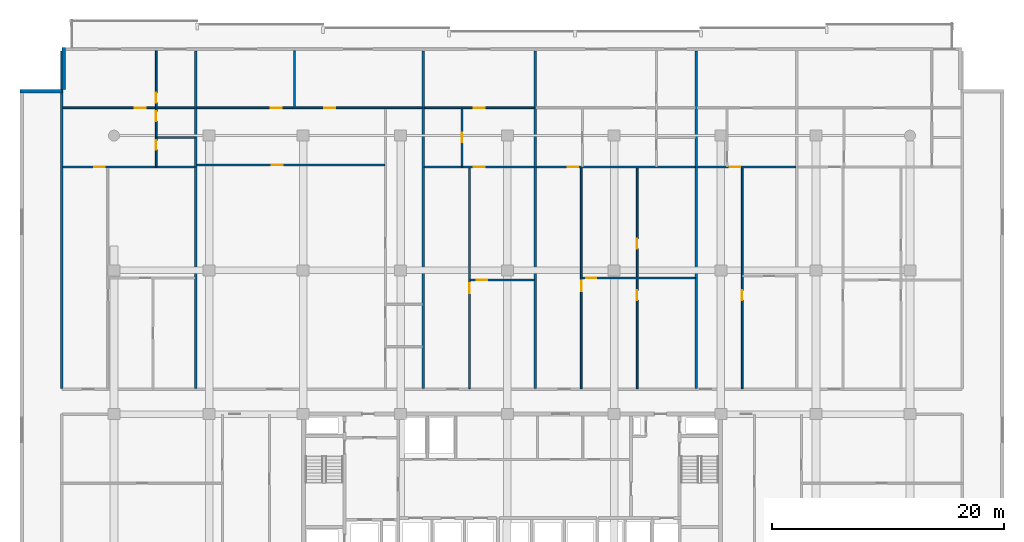
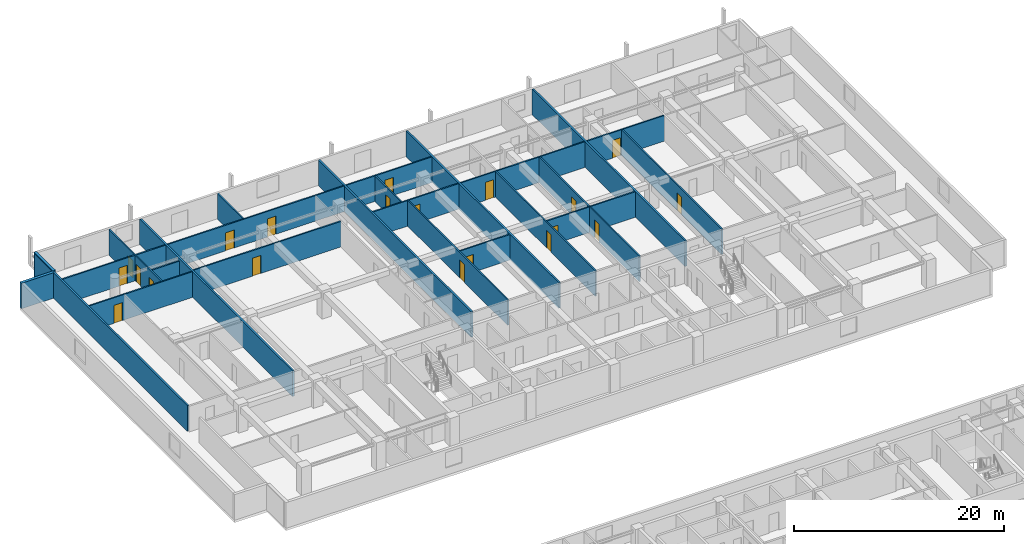
# One storey, part 15 of 24: 25 walls, 20 doors, 20 openings.
"""IFC4 building model written with IfcOpenShell, lengths in metres."""

from ifc_helpers import new_model, si_unit, direction, frame, frame_2d, origin, place, context, subcontext, project, spatial, rectangle, extrude, material, layer, layer_set, type_object, element, fill, save


model = new_model("IFC4")

# Units and contexts
model_context = context("Model", 3, precision=1e-05, world=origin(), true_north=direction((0.0, 1.0)))
body_context = subcontext(model_context, "Body", "Model", "MODEL_VIEW")
ifc_project = project(units=[si_unit("LENGTHUNIT", "METRE"), si_unit("AREAUNIT", "SQUARE_METRE"), si_unit("VOLUMEUNIT", "CUBIC_METRE"), si_unit("PLANEANGLEUNIT", "RADIAN"), si_unit("MASSUNIT", "GRAM", prefix="KILO")], contexts=[model_context])

# Site, building, storey
site_placement = place(None, origin())
site = spatial("IfcSite", under=ifc_project, at=site_placement, CompositionType="ELEMENT")
building_placement = place(site_placement, origin())
building = spatial("IfcBuilding", under=site, at=building_placement, Name="Korimba Cascade Residences", CompositionType="ELEMENT")
storey_placement = place(building_placement, frame((0.0, 0.0, 66.25)))
storey = spatial("IfcBuildingStorey", under=building, at=storey_placement, Name="L18", CompositionType="ELEMENT", Elevation=66.25)

# Walls
ifc_material_1 = material(Name="Precast concrete C40/50", Category="concrete")
ifc_layer_1 = layer(ifc_material_1, 0.300048828125)
ifc_layer_set_1 = layer_set([ifc_layer_1], Name="Precast concrete C40/50")
wall_type_1 = type_object("IfcWallType", Name="EW-STONE-300", PredefinedType="STANDARD", material=ifc_layer_set_1)
for number, where, z_axis, x_axis, name in (
    (1, (55.449951171875, 98.800048828125, 0.0), (0.0, 0.0, 1.0), (0.0, -1.0, 0.0), "L18 T1 Perimeter Stone Wall E07"),
    (2, (55.300048828125, 95.050048828125, 0.0), (0.0, 0.0, 1.0), (-1.0, 0.0, 0.0), "L18 T1 Perimeter Stone Wall E08"),
):
    element("IfcWall", number, at=place(storey_placement, frame(where, z_axis=z_axis, x_axis=x_axis)), inside=storey, type_object=wall_type_1, Name=name, PredefinedType="STANDARD", context=body_context, shape_type="SweptSolid", body=[
        extrude(rectangle(XDim=3.60009765625, YDim=0.300048828125, at=frame_2d((1.800048828125, 0.0))), origin(), (0.0, 0.0, 1.0), 2.969970703125),
    ])
ifc_layer_2 = layer(ifc_material_1, 0.199951171875)
ifc_layer_set_2 = layer_set([ifc_layer_2], Name="Precast concrete C40/50")
wall_type_2 = type_object("IfcWallType", Name="WAL-IT-200", PredefinedType="PARTITIONING", material=ifc_layer_set_2)
for number, where, z_axis, x_axis, name in (
    (3, (55.300048828125, 69.429931640625, 0.0), (0.0, 0.0, 1.0), (0.0, 1.0, 0.0), "L18 Partition Wall WAL-L18-T1-BNDWL"),
    (4, (66.854248046875, 69.429931640625, 0.0), (0.0, 0.0, 1.0), (0.0, 1.0, 0.0), "L18 Partition Wall WAL-L18-T1-DEM-1"),
    (5, (86.46484375, 69.429931640625, 0.0), (0.0, 0.0, 1.0), (0.0, 1.0, 0.0), "L18 Partition Wall WAL-L18-T1-DEM-2"),
    (6, (96.10302734375, 69.429931640625, 0.0), (0.0, 0.0, 1.0), (0.0, 1.0, 0.0), "L18 Partition Wall WAL-L18-T1-DEM-3"),
    (7, (109.96533203125, 69.429931640625, 0.0), (0.0, 0.0, 1.0), (0.0, 1.0, 0.0), "L18 Partition Wall WAL-L18-T1-DEM-4"),
):
    element("IfcWall", number, at=place(storey_placement, frame(where, z_axis=z_axis, x_axis=x_axis)), inside=storey, type_object=wall_type_2, Name=name, PredefinedType="PARTITIONING", context=body_context, shape_type="SweptSolid", body=[
        extrude(rectangle(XDim=29.070068359375, YDim=0.199951171875, at=frame_2d((14.53515625, 0.0))), origin(), (0.0, 0.0, 1.0), 2.969970703125),
    ])
ifc_material_2 = material(Name="Insulated Acoustic Stud Partition", Category="gypsum")
ifc_layer_3 = layer(ifc_material_2, 0.14990234375)
ifc_layer_set_3 = layer_set([ifc_layer_3], Name="Insulated Acoustic Stud Partition")
wall_type_3 = type_object("IfcWallType", Name="WAL-PART-150", PredefinedType="PARTITIONING", material=ifc_layer_set_3)
wall_1_placement = place(storey_placement, frame((63.494384765625, 91.0400390625, 0.0), z_axis=(0.0, 0.0, 1.0), x_axis=(1.0, 0.0, 0.0)))
element("IfcWall", 8, at=wall_1_placement, inside=storey, type_object=wall_type_3, Name="L18 Partition Wall WAL-L18-T1-U01-BLDIV", PredefinedType="PARTITIONING", context=body_context, shape_type="SweptSolid", body=[
    extrude(rectangle(XDim=3.280029296875, YDim=0.14990234375, at=frame_2d((1.64013671875, 0.0))), origin(), (0.0, 0.0, 1.0), 2.663330078125),
])

# Wall, openings, doors
wall_2_placement = place(storey_placement, frame((63.434326171875, 88.5400390625, 0.0), z_axis=(0.0, 0.0, 1.0), x_axis=(0.0, 1.0, 0.0)))
wall_2 = element("IfcWall", 9, at=wall_2_placement, inside=storey, type_object=wall_type_3, Name="L18 Partition Wall WAL-L18-T1-U01-V1", PredefinedType="PARTITIONING", context=body_context, shape_type="SweptSolid", body=[
    extrude(rectangle(XDim=9.9599609375, YDim=0.14990234375, at=frame_2d((4.97998046875, 0.0))), origin(), (0.0, 0.0, 1.0), 2.969970703125),
])
opening_1_placement = place(wall_2_placement, frame((1.430419921875, 0.0, 0.0)))
opening_1 = element("IfcOpeningElement", 10, at=opening_1_placement, cuts=wall_2, Name="Opening D-BT1", PredefinedType="OPENING", context=body_context, shape_type="SweptSolid", body=[
    extrude(rectangle(XDim=0.840087890625, YDim=2.0400390625, at=frame_2d((0.419921875, 1.02001953125))), frame((0.0, 0.0849609375, 0.0), z_axis=(0.0, -1.0, 0.0), x_axis=(1.0, 0.0, 0.0)), (0.0, 0.0, 1.0), 0.169921875),
])
opening_2_placement = place(wall_2_placement, frame((3.919921875, 0.0, 0.0)))
opening_2 = element("IfcOpeningElement", 11, at=opening_2_placement, cuts=wall_2, Name="Opening D-BT1", PredefinedType="OPENING", context=body_context, shape_type="SweptSolid", body=[
    extrude(rectangle(XDim=0.840087890625, YDim=2.0400390625, at=frame_2d((0.419921875, 1.02001953125))), frame((0.0, 0.0849609375, 0.0), z_axis=(0.0, -1.0, 0.0), x_axis=(1.0, 0.0, 0.0)), (0.0, 0.0, 1.0), 0.169921875),
])
opening_3_placement = place(wall_2_placement, frame((5.47998046875, 0.0, 0.0)))
opening_3 = element("IfcOpeningElement", 12, at=opening_3_placement, cuts=wall_2, Name="Opening D-IN2", PredefinedType="OPENING", context=body_context, shape_type="SweptSolid", body=[
    extrude(rectangle(XDim=0.8798828125, YDim=2.06005859375, at=frame_2d((0.43994140625, 1.030029296875))), frame((0.0, 0.0849609375, 0.0), z_axis=(0.0, -1.0, 0.0), x_axis=(1.0, 0.0, 0.0)), (0.0, 0.0, 1.0), 0.169921875),
])
ifc_material_3 = material(Name="Moisture-Resistant Bathroom Timber Door", Category="wood")
door_type_1 = type_object("IfcDoorType", Name="DR-INT-850", OperationType="NOTDEFINED", PredefinedType="DOOR", material=ifc_material_3)
door_1_placement = place(opening_1_placement, origin())
door_1 = element("IfcDoor", 13, at=door_1_placement, inside=storey, type_object=door_type_1, Name="L18-T1-U01 Bathroom Door", OperationType="SINGLE_SWING_LEFT", OverallHeight=2.0400390625, OverallWidth=0.840087890625, PredefinedType="DOOR", context=body_context, shape_type="SweptSolid", body=[
    extrude(rectangle(XDim=0.840087890625, YDim=2.0400390625, at=frame_2d((0.419921875, 1.02001953125))), frame((0.0, 0.02490234375, 0.0), z_axis=(0.0, -1.0, 0.0), x_axis=(1.0, 0.0, 0.0)), (0.0, 0.0, 1.0), 0.050048828125),
])
fill(opening_1, door_1)
door_2_placement = place(opening_2_placement, origin())
door_2 = element("IfcDoor", 14, at=door_2_placement, inside=storey, type_object=door_type_1, Name="L18-T1-U01 Laundry Door", OperationType="SINGLE_SWING_RIGHT", OverallHeight=2.0400390625, OverallWidth=0.840087890625, PredefinedType="DOOR", context=body_context, shape_type="SweptSolid", body=[
    extrude(rectangle(XDim=0.840087890625, YDim=2.0400390625, at=frame_2d((0.419921875, 1.02001953125))), frame((0.0, 0.02490234375, 0.0), z_axis=(0.0, -1.0, 0.0), x_axis=(1.0, 0.0, 0.0)), (0.0, 0.0, 1.0), 0.050048828125),
])
fill(opening_2, door_2)
ifc_material_4 = material(Name="Acoustic Timber Bedroom Door", Category="wood")
door_type_2 = type_object("IfcDoorType", Name="DR-INT-880", OperationType="NOTDEFINED", PredefinedType="DOOR", material=ifc_material_4)
door_3_placement = place(opening_3_placement, origin())
door_3 = element("IfcDoor", 15, at=door_3_placement, inside=storey, type_object=door_type_2, Name="L18-T1-U01 Bedroom 1 Door", OperationType="SINGLE_SWING_LEFT", OverallHeight=2.06005859375, OverallWidth=0.8798828125, PredefinedType="DOOR", context=body_context, shape_type="SweptSolid", body=[
    extrude(rectangle(XDim=0.8798828125, YDim=2.06005859375, at=frame_2d((0.43994140625, 1.030029296875))), frame((0.0, 0.02490234375, 0.0), z_axis=(0.0, -1.0, 0.0), x_axis=(1.0, 0.0, 0.0)), (0.0, 0.0, 1.0), 0.050048828125),
])
fill(opening_3, door_3)

# Wall, opening, door
wall_3_placement = place(storey_placement, frame((55.3798828125, 88.5, 0.0), z_axis=(0.0, 0.0, 1.0), x_axis=(1.0, 0.0, 0.0)))
wall_3 = element("IfcWall", 16, at=wall_3_placement, inside=storey, type_object=wall_type_3, Name="L18 Partition Wall WAL-L18-T1-U01-MW", PredefinedType="PARTITIONING", context=body_context, shape_type="SweptSolid", body=[
    extrude(rectangle(XDim=11.39453125, YDim=0.14990234375, at=frame_2d((5.697265625, 0.0))), origin(), (0.0, 0.0, 1.0), 2.969970703125),
])
opening_4_placement = place(wall_3_placement, frame((2.719970703125, 0.0, 0.0)))
opening_4 = element("IfcOpeningElement", 17, at=opening_4_placement, cuts=wall_3, Name="Opening D-IN1", PredefinedType="OPENING", context=body_context, shape_type="SweptSolid", body=[
    extrude(rectangle(XDim=0.919921875, YDim=2.080078125, at=frame_2d((0.4599609375, 1.0400390625))), frame((0.0, 0.0849609375, 0.0), z_axis=(0.0, -1.0, 0.0), x_axis=(1.0, 0.0, 0.0)), (0.0, 0.0, 1.0), 0.169921875),
])
ifc_material_5 = material(Name="Acoustic Timber Living Door", Category="wood")
door_type_3 = type_object("IfcDoorType", Name="DR-INT-920", OperationType="NOTDEFINED", PredefinedType="DOOR", material=ifc_material_5)
door_4_placement = place(opening_4_placement, origin())
door_4 = element("IfcDoor", 18, at=door_4_placement, inside=storey, type_object=door_type_3, Name="L18-T1-U01 Kitchen Archway Door", OperationType="SINGLE_SWING_RIGHT", OverallHeight=2.080078125, OverallWidth=0.919921875, PredefinedType="DOOR", context=body_context, shape_type="SweptSolid", body=[
    extrude(rectangle(XDim=0.919921875, YDim=2.080078125, at=frame_2d((0.4599609375, 1.0400390625))), frame((0.0, 0.02490234375, 0.0), z_axis=(0.0, -1.0, 0.0), x_axis=(1.0, 0.0, 0.0)), (0.0, 0.0, 1.0), 0.050048828125),
])
fill(opening_4, door_4)

wall_4_placement = place(storey_placement, frame((55.3798828125, 93.60009765625, 0.0), z_axis=(0.0, 0.0, 1.0), x_axis=(1.0, 0.0, 0.0)))
wall_4 = element("IfcWall", 19, at=wall_4_placement, inside=storey, type_object=wall_type_3, Name="L18 Partition Wall WAL-L18-T1-U01-HZ", PredefinedType="PARTITIONING", context=body_context, shape_type="SweptSolid", body=[
    extrude(rectangle(XDim=11.39453125, YDim=0.14990234375, at=frame_2d((5.697265625, 0.0))), origin(), (0.0, 0.0, 1.0), 2.969970703125),
])
opening_5_placement = place(wall_4_placement, frame((6.202880859375, 0.0, 0.0)))
opening_5 = element("IfcOpeningElement", 20, at=opening_5_placement, cuts=wall_4, Name="Opening D-IN0", PredefinedType="OPENING", context=body_context, shape_type="SweptSolid", body=[
    extrude(rectangle(XDim=0.93994140625, YDim=2.10009765625, at=frame_2d((0.469970703125, 1.050048828125))), frame((0.0, 0.0849609375, 0.0), z_axis=(0.0, -1.0, 0.0), x_axis=(1.0, 0.0, 0.0)), (0.0, 0.0, 1.0), 0.169921875),
])
ifc_material_6 = material(Name="Acoustic Timber Living Archway Door", Category="wood")
door_type_4 = type_object("IfcDoorType", Name="DR-INT-950", OperationType="NOTDEFINED", PredefinedType="DOOR", material=ifc_material_6)
door_5_placement = place(opening_5_placement, origin())
door_5 = element("IfcDoor", 21, at=door_5_placement, inside=storey, type_object=door_type_4, Name="L18-T1-U01 Living Archway Door", OperationType="SINGLE_SWING_LEFT", OverallHeight=2.10009765625, OverallWidth=0.93994140625, PredefinedType="DOOR", context=body_context, shape_type="SweptSolid", body=[
    extrude(rectangle(XDim=0.93994140625, YDim=2.10009765625, at=frame_2d((0.469970703125, 1.050048828125))), frame((0.0, 0.02490234375, 0.0), z_axis=(0.0, -1.0, 0.0), x_axis=(1.0, 0.0, 0.0)), (0.0, 0.0, 1.0), 0.050048828125),
])
fill(opening_5, door_5)

wall_5_placement = place(storey_placement, frame((66.934326171875, 88.679931640625, 0.0), z_axis=(0.0, 0.0, 1.0), x_axis=(1.0, 0.0, 0.0)))
wall_5 = element("IfcWall", 22, at=wall_5_placement, inside=storey, type_object=wall_type_3, Name="L18 Partition Wall WAL-L18-T1-U02-CARH", PredefinedType="PARTITIONING", context=body_context, shape_type="SweptSolid", body=[
    extrude(rectangle(XDim=16.220458984375, YDim=0.14990234375, at=frame_2d((8.1103515625, 0.0))), origin(), (0.0, 0.0, 1.0), 2.969970703125),
])
opening_6_placement = place(wall_5_placement, frame((6.473876953125, 0.0, 0.0)))
opening_6 = element("IfcOpeningElement", 23, at=opening_6_placement, cuts=wall_5, Name="Opening D-IN0", PredefinedType="OPENING", context=body_context, shape_type="SweptSolid", body=[
    extrude(rectangle(XDim=0.93994140625, YDim=2.10009765625, at=frame_2d((0.469970703125, 1.050048828125))), frame((0.0, 0.0849609375, 0.0), z_axis=(0.0, -1.0, 0.0), x_axis=(1.0, 0.0, 0.0)), (0.0, 0.0, 1.0), 0.169921875),
])
door_6_placement = place(opening_6_placement, origin())
door_6 = element("IfcDoor", 24, at=door_6_placement, inside=storey, type_object=door_type_4, Name="L18-T1-U02 Wellness Clinic Foyer Door", OperationType="SINGLE_SWING_RIGHT", OverallHeight=2.10009765625, OverallWidth=0.93994140625, PredefinedType="DOOR", context=body_context, shape_type="SweptSolid", body=[
    extrude(rectangle(XDim=0.93994140625, YDim=2.10009765625, at=frame_2d((0.469970703125, 1.050048828125))), frame((0.0, 0.02490234375, 0.0), z_axis=(0.0, -1.0, 0.0), x_axis=(1.0, 0.0, 0.0)), (0.0, 0.0, 1.0), 0.050048828125),
])
fill(opening_6, door_6)

# Wall
wall_6_placement = place(storey_placement, frame((75.3544921875, 93.679931640625, 0.0), z_axis=(0.0, 0.0, 1.0), x_axis=(0.0, 1.0, 0.0)))
element("IfcWall", 25, at=wall_6_placement, inside=storey, type_object=wall_type_3, Name="L18 Partition Wall WAL-L18-T1-U02-OUTV", PredefinedType="PARTITIONING", context=body_context, shape_type="SweptSolid", body=[
    extrude(rectangle(XDim=4.820068359375, YDim=0.14990234375, at=frame_2d((2.41015625, 0.0))), origin(), (0.0, 0.0, 1.0), 2.969970703125),
])

# Wall, openings, doors
wall_7_placement = place(storey_placement, frame((66.934326171875, 93.60009765625, 0.0), z_axis=(0.0, 0.0, 1.0), x_axis=(1.0, 0.0, 0.0)))
wall_7 = element("IfcWall", 26, at=wall_7_placement, inside=storey, type_object=wall_type_3, Name="L18 Partition Wall WAL-L18-T1-U02-HZ", PredefinedType="PARTITIONING", context=body_context, shape_type="SweptSolid", body=[
    extrude(rectangle(XDim=19.450439453125, YDim=0.14990234375, at=frame_2d((9.72509765625, 0.0))), origin(), (0.0, 0.0, 1.0), 2.969970703125),
])
opening_7_placement = place(wall_7_placement, frame((6.392578125, 0.0, 0.0)))
opening_7 = element("IfcOpeningElement", 27, at=opening_7_placement, cuts=wall_7, Name="Opening D-IN0", PredefinedType="OPENING", context=body_context, shape_type="SweptSolid", body=[
    extrude(rectangle(XDim=0.93994140625, YDim=2.10009765625, at=frame_2d((0.469970703125, 1.050048828125))), frame((0.0, 0.0849609375, 0.0), z_axis=(0.0, -1.0, 0.0), x_axis=(1.0, 0.0, 0.0)), (0.0, 0.0, 1.0), 0.169921875),
])
opening_8_placement = place(wall_7_placement, frame((10.974365234375, 0.0, 0.0)))
opening_8 = element("IfcOpeningElement", 28, at=opening_8_placement, cuts=wall_7, Name="Opening D-IN0", PredefinedType="OPENING", context=body_context, shape_type="SweptSolid", body=[
    extrude(rectangle(XDim=0.93994140625, YDim=2.10009765625, at=frame_2d((0.469970703125, 1.050048828125))), frame((0.0, 0.0849609375, 0.0), z_axis=(0.0, -1.0, 0.0), x_axis=(1.0, 0.0, 0.0)), (0.0, 0.0, 1.0), 0.169921875),
])
door_7_placement = place(opening_7_placement, origin())
door_7 = element("IfcDoor", 29, at=door_7_placement, inside=storey, type_object=door_type_4, Name="L18-T1-U02 Hydrotherapy Wellness Clinic Door", OperationType="SINGLE_SWING_RIGHT", OverallHeight=2.10009765625, OverallWidth=0.93994140625, PredefinedType="DOOR", context=body_context, shape_type="SweptSolid", body=[
    extrude(rectangle(XDim=0.93994140625, YDim=2.10009765625, at=frame_2d((0.469970703125, 1.050048828125))), frame((0.0, 0.02490234375, 0.0), z_axis=(0.0, -1.0, 0.0), x_axis=(1.0, 0.0, 0.0)), (0.0, 0.0, 1.0), 0.050048828125),
])
fill(opening_7, door_7)
door_8_placement = place(opening_8_placement, origin())
door_8 = element("IfcDoor", 30, at=door_8_placement, inside=storey, type_object=door_type_4, Name="L18-T1-U02 Physiotherapy Treatment Room Door", OperationType="SINGLE_SWING_LEFT", OverallHeight=2.10009765625, OverallWidth=0.93994140625, PredefinedType="DOOR", context=body_context, shape_type="SweptSolid", body=[
    extrude(rectangle(XDim=0.93994140625, YDim=2.10009765625, at=frame_2d((0.469970703125, 1.050048828125))), frame((0.0, 0.02490234375, 0.0), z_axis=(0.0, -1.0, 0.0), x_axis=(1.0, 0.0, 0.0)), (0.0, 0.0, 1.0), 0.050048828125),
])
fill(opening_8, door_8)

# Wall, opening, door
wall_8_placement = place(storey_placement, frame((90.494873046875, 78.7548828125, 0.0), z_axis=(0.0, 0.0, 1.0), x_axis=(1.0, 0.0, 0.0)))
wall_8 = element("IfcWall", 31, at=wall_8_placement, inside=storey, type_object=wall_type_3, Name="L18 Partition Wall WAL-L18-T1-U03-FMH", PredefinedType="PARTITIONING", context=body_context, shape_type="SweptSolid", body=[
    extrude(rectangle(XDim=5.5283203125, YDim=0.14990234375, at=frame_2d((2.76416015625, 0.0))), origin(), (0.0, 0.0, 1.0), 2.969970703125),
])
opening_9_placement = place(wall_8_placement, frame((0.5869140625, 0.0, 0.0)))
opening_9 = element("IfcOpeningElement", 32, at=opening_9_placement, cuts=wall_8, Name="Opening D-IN2", PredefinedType="OPENING", context=body_context, shape_type="SweptSolid", body=[
    extrude(rectangle(XDim=0.8798828125, YDim=2.06005859375, at=frame_2d((0.43994140625, 1.030029296875))), frame((0.0, 0.0849609375, 0.0), z_axis=(0.0, -1.0, 0.0), x_axis=(1.0, 0.0, 0.0)), (0.0, 0.0, 1.0), 0.169921875),
])
door_9_placement = place(opening_9_placement, origin())
door_9 = element("IfcDoor", 33, at=door_9_placement, inside=storey, type_object=door_type_2, Name="L18-T1-U03 Library Salon Door", OperationType="SINGLE_SWING_RIGHT", OverallHeight=2.06005859375, OverallWidth=0.8798828125, PredefinedType="DOOR", context=body_context, shape_type="SweptSolid", body=[
    extrude(rectangle(XDim=0.8798828125, YDim=2.06005859375, at=frame_2d((0.43994140625, 1.030029296875))), frame((0.0, 0.02490234375, 0.0), z_axis=(0.0, -1.0, 0.0), x_axis=(1.0, 0.0, 0.0)), (0.0, 0.0, 1.0), 0.050048828125),
])
fill(opening_9, door_9)

wall_9_placement = place(storey_placement, frame((90.434814453125, 69.409912109375, 0.0), z_axis=(0.0, 0.0, 1.0), x_axis=(0.0, 1.0, 0.0)))
wall_9 = element("IfcWall", 34, at=wall_9_placement, inside=storey, type_object=wall_type_3, Name="L18 Partition Wall WAL-L18-T1-U03-FV", PredefinedType="PARTITIONING", context=body_context, shape_type="SweptSolid", body=[
    extrude(rectangle(XDim=19.050048828125, YDim=0.14990234375, at=frame_2d((9.52490234375, 0.0))), origin(), (0.0, 0.0, 1.0), 2.969970703125),
])
opening_10_placement = place(wall_9_placement, frame((8.215087890625, 0.0, 0.0)))
opening_10 = element("IfcOpeningElement", 35, at=opening_10_placement, cuts=wall_9, Name="Opening D-IN2", PredefinedType="OPENING", context=body_context, shape_type="SweptSolid", body=[
    extrude(rectangle(XDim=0.8798828125, YDim=2.06005859375, at=frame_2d((0.43994140625, 1.030029296875))), frame((0.0, 0.0849609375, 0.0), z_axis=(0.0, -1.0, 0.0), x_axis=(1.0, 0.0, 0.0)), (0.0, 0.0, 1.0), 0.169921875),
])
door_10_placement = place(opening_10_placement, origin())
door_10 = element("IfcDoor", 36, at=door_10_placement, inside=storey, type_object=door_type_2, Name="L18-T1-U03 Media Lounge Door", OperationType="SINGLE_SWING_LEFT", OverallHeight=2.06005859375, OverallWidth=0.8798828125, PredefinedType="DOOR", context=body_context, shape_type="SweptSolid", body=[
    extrude(rectangle(XDim=0.8798828125, YDim=2.06005859375, at=frame_2d((0.43994140625, 1.030029296875))), frame((0.0, 0.02490234375, 0.0), z_axis=(0.0, -1.0, 0.0), x_axis=(1.0, 0.0, 0.0)), (0.0, 0.0, 1.0), 0.050048828125),
])
fill(opening_10, door_10)

wall_10_placement = place(storey_placement, frame((89.783203125, 88.5400390625, 0.0), z_axis=(0.0, 0.0, 1.0), x_axis=(0.0, 1.0, 0.0)))
wall_10 = element("IfcWall", 37, at=wall_10_placement, inside=storey, type_object=wall_type_3, Name="L18 Partition Wall WAL-L18-T1-U03-BM", PredefinedType="PARTITIONING", context=body_context, shape_type="SweptSolid", body=[
    extrude(rectangle(XDim=5.0, YDim=0.14990234375, at=frame_2d((2.5, 0.0))), origin(), (0.0, 0.0, 1.0), 2.969970703125),
])
opening_11_placement = place(wall_10_placement, frame((2.080078125, 0.0, 0.0)))
opening_11 = element("IfcOpeningElement", 38, at=opening_11_placement, cuts=wall_10, Name="Opening D-BT1", PredefinedType="OPENING", context=body_context, shape_type="SweptSolid", body=[
    extrude(rectangle(XDim=0.840087890625, YDim=2.0400390625, at=frame_2d((0.419921875, 1.02001953125))), frame((0.0, 0.0849609375, 0.0), z_axis=(0.0, -1.0, 0.0), x_axis=(1.0, 0.0, 0.0)), (0.0, 0.0, 1.0), 0.169921875),
])
door_11_placement = place(opening_11_placement, origin())
door_11 = element("IfcDoor", 39, at=door_11_placement, inside=storey, type_object=door_type_1, Name="L18-T1-U03 Bathroom Door", OperationType="SINGLE_SWING_RIGHT", OverallHeight=2.0400390625, OverallWidth=0.840087890625, PredefinedType="DOOR", context=body_context, shape_type="SweptSolid", body=[
    extrude(rectangle(XDim=0.840087890625, YDim=2.0400390625, at=frame_2d((0.419921875, 1.02001953125))), frame((0.0, 0.02490234375, 0.0), z_axis=(0.0, -1.0, 0.0), x_axis=(1.0, 0.0, 0.0)), (0.0, 0.0, 1.0), 0.050048828125),
])
fill(opening_11, door_11)

wall_11_placement = place(storey_placement, frame((86.544921875, 88.5, 0.0), z_axis=(0.0, 0.0, 1.0), x_axis=(1.0, 0.0, 0.0)))
wall_11 = element("IfcWall", 40, at=wall_11_placement, inside=storey, type_object=wall_type_3, Name="L18 Partition Wall WAL-L18-T1-U03-MW", PredefinedType="PARTITIONING", context=body_context, shape_type="SweptSolid", body=[
    extrude(rectangle(XDim=9.478271484375, YDim=0.14990234375, at=frame_2d((4.7392578125, 0.0))), origin(), (0.0, 0.0, 1.0), 2.969970703125),
])
opening_12_placement = place(wall_11_placement, frame((4.279296875, 0.0, 0.0)))
opening_12 = element("IfcOpeningElement", 41, at=opening_12_placement, cuts=wall_11, Name="Opening D-IN1", PredefinedType="OPENING", context=body_context, shape_type="SweptSolid", body=[
    extrude(rectangle(XDim=0.919921875, YDim=2.080078125, at=frame_2d((0.4599609375, 1.0400390625))), frame((0.0, 0.0849609375, 0.0), z_axis=(0.0, -1.0, 0.0), x_axis=(1.0, 0.0, 0.0)), (0.0, 0.0, 1.0), 0.169921875),
])
door_12_placement = place(opening_12_placement, origin())
door_12 = element("IfcDoor", 42, at=door_12_placement, inside=storey, type_object=door_type_3, Name="L18-T1-U03 Studio Kitchen Door", OperationType="SINGLE_SWING_LEFT", OverallHeight=2.080078125, OverallWidth=0.919921875, PredefinedType="DOOR", context=body_context, shape_type="SweptSolid", body=[
    extrude(rectangle(XDim=0.919921875, YDim=2.080078125, at=frame_2d((0.4599609375, 1.0400390625))), frame((0.0, 0.02490234375, 0.0), z_axis=(0.0, -1.0, 0.0), x_axis=(1.0, 0.0, 0.0)), (0.0, 0.0, 1.0), 0.050048828125),
])
fill(opening_12, door_12)

wall_12_placement = place(storey_placement, frame((86.544921875, 93.60009765625, 0.0), z_axis=(0.0, 0.0, 1.0), x_axis=(1.0, 0.0, 0.0)))
wall_12 = element("IfcWall", 43, at=wall_12_placement, inside=storey, type_object=wall_type_3, Name="L18 Partition Wall WAL-L18-T1-U03-HZ", PredefinedType="PARTITIONING", context=body_context, shape_type="SweptSolid", body=[
    extrude(rectangle(XDim=9.478271484375, YDim=0.14990234375, at=frame_2d((4.7392578125, 0.0))), origin(), (0.0, 0.0, 1.0), 2.969970703125),
])
opening_13_placement = place(wall_12_placement, frame((4.279296875, 0.0, 0.0)))
opening_13 = element("IfcOpeningElement", 44, at=opening_13_placement, cuts=wall_12, Name="Opening D-IN1", PredefinedType="OPENING", context=body_context, shape_type="SweptSolid", body=[
    extrude(rectangle(XDim=0.919921875, YDim=2.080078125, at=frame_2d((0.4599609375, 1.0400390625))), frame((0.0, 0.0849609375, 0.0), z_axis=(0.0, -1.0, 0.0), x_axis=(1.0, 0.0, 0.0)), (0.0, 0.0, 1.0), 0.169921875),
])
door_13_placement = place(opening_13_placement, origin())
door_13 = element("IfcDoor", 45, at=door_13_placement, inside=storey, type_object=door_type_3, Name="L18-T1-U03 Studio Door", OperationType="SINGLE_SWING_RIGHT", OverallHeight=2.080078125, OverallWidth=0.919921875, PredefinedType="DOOR", context=body_context, shape_type="SweptSolid", body=[
    extrude(rectangle(XDim=0.919921875, YDim=2.080078125, at=frame_2d((0.4599609375, 1.0400390625))), frame((0.0, 0.02490234375, 0.0), z_axis=(0.0, -1.0, 0.0), x_axis=(1.0, 0.0, 0.0)), (0.0, 0.0, 1.0), 0.050048828125),
])
fill(opening_13, door_13)

# Wall, openings, doors
wall_13_placement = place(storey_placement, frame((104.88916015625, 69.409912109375, 0.0), z_axis=(0.0, 0.0, 1.0), x_axis=(0.0, 1.0, 0.0)))
wall_13 = element("IfcWall", 46, at=wall_13_placement, inside=storey, type_object=wall_type_3, Name="L18 Partition Wall WAL-L18-T1-U04-FMV", PredefinedType="PARTITIONING", context=body_context, shape_type="SweptSolid", body=[
    extrude(rectangle(XDim=19.050048828125, YDim=0.14990234375, at=frame_2d((9.52490234375, 0.0))), origin(), (0.0, 0.0, 1.0), 2.969970703125),
])
opening_14_placement = place(wall_13_placement, frame((7.62646484375, 0.0, 0.0)))
opening_14 = element("IfcOpeningElement", 47, at=opening_14_placement, cuts=wall_13, Name="Opening D-BT1", PredefinedType="OPENING", context=body_context, shape_type="SweptSolid", body=[
    extrude(rectangle(XDim=0.840087890625, YDim=2.0400390625, at=frame_2d((0.419921875, 1.02001953125))), frame((0.0, 0.0849609375, 0.0), z_axis=(0.0, -1.0, 0.0), x_axis=(1.0, 0.0, 0.0)), (0.0, 0.0, 1.0), 0.169921875),
])
opening_15_placement = place(wall_13_placement, frame((12.027587890625, 0.0, 0.0)))
opening_15 = element("IfcOpeningElement", 48, at=opening_15_placement, cuts=wall_13, Name="Opening D-IN2", PredefinedType="OPENING", context=body_context, shape_type="SweptSolid", body=[
    extrude(rectangle(XDim=0.8798828125, YDim=2.06005859375, at=frame_2d((0.43994140625, 1.030029296875))), frame((0.0, 0.0849609375, 0.0), z_axis=(0.0, -1.0, 0.0), x_axis=(1.0, 0.0, 0.0)), (0.0, 0.0, 1.0), 0.169921875),
])
door_14_placement = place(opening_14_placement, origin())
door_14 = element("IfcDoor", 49, at=door_14_placement, inside=storey, type_object=door_type_1, Name="L18-T1-U04 Wardrobe Door", OperationType="SINGLE_SWING_LEFT", OverallHeight=2.0400390625, OverallWidth=0.840087890625, PredefinedType="DOOR", context=body_context, shape_type="SweptSolid", body=[
    extrude(rectangle(XDim=0.840087890625, YDim=2.0400390625, at=frame_2d((0.419921875, 1.02001953125))), frame((0.0, 0.02490234375, 0.0), z_axis=(0.0, -1.0, 0.0), x_axis=(1.0, 0.0, 0.0)), (0.0, 0.0, 1.0), 0.050048828125),
])
fill(opening_14, door_14)
door_15_placement = place(opening_15_placement, origin())
door_15 = element("IfcDoor", 50, at=door_15_placement, inside=storey, type_object=door_type_2, Name="L18-T1-U04 Music Lounge Door", OperationType="SINGLE_SWING_RIGHT", OverallHeight=2.06005859375, OverallWidth=0.8798828125, PredefinedType="DOOR", context=body_context, shape_type="SweptSolid", body=[
    extrude(rectangle(XDim=0.8798828125, YDim=2.06005859375, at=frame_2d((0.43994140625, 1.030029296875))), frame((0.0, 0.02490234375, 0.0), z_axis=(0.0, -1.0, 0.0), x_axis=(1.0, 0.0, 0.0)), (0.0, 0.0, 1.0), 0.050048828125),
])
fill(opening_15, door_15)

# Wall, opening, door
wall_14_placement = place(storey_placement, frame((100.133056640625, 78.93505859375, 0.0), z_axis=(0.0, 0.0, 1.0), x_axis=(1.0, 0.0, 0.0)))
wall_14 = element("IfcWall", 51, at=wall_14_placement, inside=storey, type_object=wall_type_3, Name="L18 Partition Wall WAL-L18-T1-U04-FMH", PredefinedType="PARTITIONING", context=body_context, shape_type="SweptSolid", body=[
    extrude(rectangle(XDim=9.75244140625, YDim=0.14990234375, at=frame_2d((4.876220703125, 0.0))), origin(), (0.0, 0.0, 1.0), 2.969970703125),
])
opening_16_placement = place(wall_14_placement, frame((0.35009765625, 0.0, 0.0)))
opening_16 = element("IfcOpeningElement", 52, at=opening_16_placement, cuts=wall_14, Name="Opening D-IN2", PredefinedType="OPENING", context=body_context, shape_type="SweptSolid", body=[
    extrude(rectangle(XDim=0.8798828125, YDim=2.06005859375, at=frame_2d((0.43994140625, 1.030029296875))), frame((0.0, 0.0849609375, 0.0), z_axis=(0.0, -1.0, 0.0), x_axis=(1.0, 0.0, 0.0)), (0.0, 0.0, 1.0), 0.169921875),
])
door_16_placement = place(opening_16_placement, origin())
door_16 = element("IfcDoor", 53, at=door_16_placement, inside=storey, type_object=door_type_2, Name="L18-T1-U04 Library Salon Door", OperationType="SINGLE_SWING_LEFT", OverallHeight=2.06005859375, OverallWidth=0.8798828125, PredefinedType="DOOR", context=body_context, shape_type="SweptSolid", body=[
    extrude(rectangle(XDim=0.8798828125, YDim=2.06005859375, at=frame_2d((0.43994140625, 1.030029296875))), frame((0.0, 0.02490234375, 0.0), z_axis=(0.0, -1.0, 0.0), x_axis=(1.0, 0.0, 0.0)), (0.0, 0.0, 1.0), 0.050048828125),
])
fill(opening_16, door_16)

wall_15_placement = place(storey_placement, frame((100.072998046875, 69.409912109375, 0.0), z_axis=(0.0, 0.0, 1.0), x_axis=(0.0, 1.0, 0.0)))
wall_15 = element("IfcWall", 54, at=wall_15_placement, inside=storey, type_object=wall_type_3, Name="L18 Partition Wall WAL-L18-T1-U04-FV", PredefinedType="PARTITIONING", context=body_context, shape_type="SweptSolid", body=[
    extrude(rectangle(XDim=19.050048828125, YDim=0.14990234375, at=frame_2d((9.52490234375, 0.0))), origin(), (0.0, 0.0, 1.0), 2.969970703125),
])
opening_17_placement = place(wall_15_placement, frame((8.39501953125, 0.0, 0.0)))
opening_17 = element("IfcOpeningElement", 55, at=opening_17_placement, cuts=wall_15, Name="Opening D-IN2", PredefinedType="OPENING", context=body_context, shape_type="SweptSolid", body=[
    extrude(rectangle(XDim=0.8798828125, YDim=2.06005859375, at=frame_2d((0.43994140625, 1.030029296875))), frame((0.0, 0.0849609375, 0.0), z_axis=(0.0, -1.0, 0.0), x_axis=(1.0, 0.0, 0.0)), (0.0, 0.0, 1.0), 0.169921875),
])
door_17_placement = place(opening_17_placement, origin())
door_17 = element("IfcDoor", 56, at=door_17_placement, inside=storey, type_object=door_type_2, Name="L18-T1-U04 Media Lounge Door", OperationType="SINGLE_SWING_RIGHT", OverallHeight=2.06005859375, OverallWidth=0.8798828125, PredefinedType="DOOR", context=body_context, shape_type="SweptSolid", body=[
    extrude(rectangle(XDim=0.8798828125, YDim=2.06005859375, at=frame_2d((0.43994140625, 1.030029296875))), frame((0.0, 0.02490234375, 0.0), z_axis=(0.0, -1.0, 0.0), x_axis=(1.0, 0.0, 0.0)), (0.0, 0.0, 1.0), 0.050048828125),
])
fill(opening_17, door_17)

wall_16_placement = place(storey_placement, frame((96.18310546875, 88.5, 0.0), z_axis=(0.0, 0.0, 1.0), x_axis=(1.0, 0.0, 0.0)))
wall_16 = element("IfcWall", 57, at=wall_16_placement, inside=storey, type_object=wall_type_3, Name="L18 Partition Wall WAL-L18-T1-U04-MW", PredefinedType="PARTITIONING", context=body_context, shape_type="SweptSolid", body=[
    extrude(rectangle(XDim=13.702392578125, YDim=0.14990234375, at=frame_2d((6.85107421875, 0.0))), origin(), (0.0, 0.0, 1.0), 2.969970703125),
])
opening_18_placement = place(wall_16_placement, frame((2.719970703125, 0.0, 0.0)))
opening_18 = element("IfcOpeningElement", 58, at=opening_18_placement, cuts=wall_16, Name="Opening D-IN1", PredefinedType="OPENING", context=body_context, shape_type="SweptSolid", body=[
    extrude(rectangle(XDim=0.919921875, YDim=2.080078125, at=frame_2d((0.4599609375, 1.0400390625))), frame((0.0, 0.0849609375, 0.0), z_axis=(0.0, -1.0, 0.0), x_axis=(1.0, 0.0, 0.0)), (0.0, 0.0, 1.0), 0.169921875),
])
door_18_placement = place(opening_18_placement, origin())
door_18 = element("IfcDoor", 59, at=door_18_placement, inside=storey, type_object=door_type_3, Name="L18-T1-U04 Kitchen Archway Door", OperationType="SINGLE_SWING_LEFT", OverallHeight=2.080078125, OverallWidth=0.919921875, PredefinedType="DOOR", context=body_context, shape_type="SweptSolid", body=[
    extrude(rectangle(XDim=0.919921875, YDim=2.080078125, at=frame_2d((0.4599609375, 1.0400390625))), frame((0.0, 0.02490234375, 0.0), z_axis=(0.0, -1.0, 0.0), x_axis=(1.0, 0.0, 0.0)), (0.0, 0.0, 1.0), 0.050048828125),
])
fill(opening_18, door_18)

wall_17_placement = place(storey_placement, frame((113.935302734375, 69.409912109375, 0.0), z_axis=(0.0, 0.0, 1.0), x_axis=(0.0, 1.0, 0.0)))
wall_17 = element("IfcWall", 60, at=wall_17_placement, inside=storey, type_object=wall_type_3, Name="L18 Partition Wall WAL-L18-T1-U05-FV", PredefinedType="PARTITIONING", context=body_context, shape_type="SweptSolid", body=[
    extrude(rectangle(XDim=19.050048828125, YDim=0.14990234375, at=frame_2d((9.52490234375, 0.0))), origin(), (0.0, 0.0, 1.0), 2.969970703125),
])
opening_19_placement = place(wall_17_placement, frame((7.587890625, 0.0, 0.0)))
opening_19 = element("IfcOpeningElement", 61, at=opening_19_placement, cuts=wall_17, Name="Opening D-IN2", PredefinedType="OPENING", context=body_context, shape_type="SweptSolid", body=[
    extrude(rectangle(XDim=0.8798828125, YDim=2.06005859375, at=frame_2d((0.43994140625, 1.030029296875))), frame((0.0, 0.0849609375, 0.0), z_axis=(0.0, -1.0, 0.0), x_axis=(1.0, 0.0, 0.0)), (0.0, 0.0, 1.0), 0.169921875),
])
door_19_placement = place(opening_19_placement, origin())
door_19 = element("IfcDoor", 62, at=door_19_placement, inside=storey, type_object=door_type_2, Name="L18-T1-U05 Media Lounge Door", OperationType="SINGLE_SWING_RIGHT", OverallHeight=2.06005859375, OverallWidth=0.8798828125, PredefinedType="DOOR", context=body_context, shape_type="SweptSolid", body=[
    extrude(rectangle(XDim=0.8798828125, YDim=2.06005859375, at=frame_2d((0.43994140625, 1.030029296875))), frame((0.0, 0.02490234375, 0.0), z_axis=(0.0, -1.0, 0.0), x_axis=(1.0, 0.0, 0.0)), (0.0, 0.0, 1.0), 0.050048828125),
])
fill(opening_19, door_19)

wall_18_placement = place(storey_placement, frame((110.04541015625, 88.5, 0.0), z_axis=(0.0, 0.0, 1.0), x_axis=(1.0, 0.0, 0.0)))
wall_18 = element("IfcWall", 63, at=wall_18_placement, inside=storey, type_object=wall_type_3, Name="L18 Partition Wall WAL-L18-T1-U05-MW", PredefinedType="PARTITIONING", context=body_context, shape_type="SweptSolid", body=[
    extrude(rectangle(XDim=8.520263671875, YDim=0.14990234375, at=frame_2d((4.26025390625, 0.0))), origin(), (0.0, 0.0, 1.0), 2.969970703125),
])
opening_20_placement = place(wall_18_placement, frame((2.800048828125, 0.0, 0.0)))
opening_20 = element("IfcOpeningElement", 64, at=opening_20_placement, cuts=wall_18, Name="Opening D-IN1", PredefinedType="OPENING", context=body_context, shape_type="SweptSolid", body=[
    extrude(rectangle(XDim=0.919921875, YDim=2.080078125, at=frame_2d((0.4599609375, 1.0400390625))), frame((0.0, 0.0849609375, 0.0), z_axis=(0.0, -1.0, 0.0), x_axis=(1.0, 0.0, 0.0)), (0.0, 0.0, 1.0), 0.169921875),
])
door_20_placement = place(opening_20_placement, origin())
door_20 = element("IfcDoor", 65, at=door_20_placement, inside=storey, type_object=door_type_3, Name="L18-T1-U05 Studio Kitchen Door", OperationType="SINGLE_SWING_RIGHT", OverallHeight=2.080078125, OverallWidth=0.919921875, PredefinedType="DOOR", context=body_context, shape_type="SweptSolid", body=[
    extrude(rectangle(XDim=0.919921875, YDim=2.080078125, at=frame_2d((0.4599609375, 1.0400390625))), frame((0.0, 0.02490234375, 0.0), z_axis=(0.0, -1.0, 0.0), x_axis=(1.0, 0.0, 0.0)), (0.0, 0.0, 1.0), 0.050048828125),
])
fill(opening_20, door_20)

save(model, "model.ifc")
